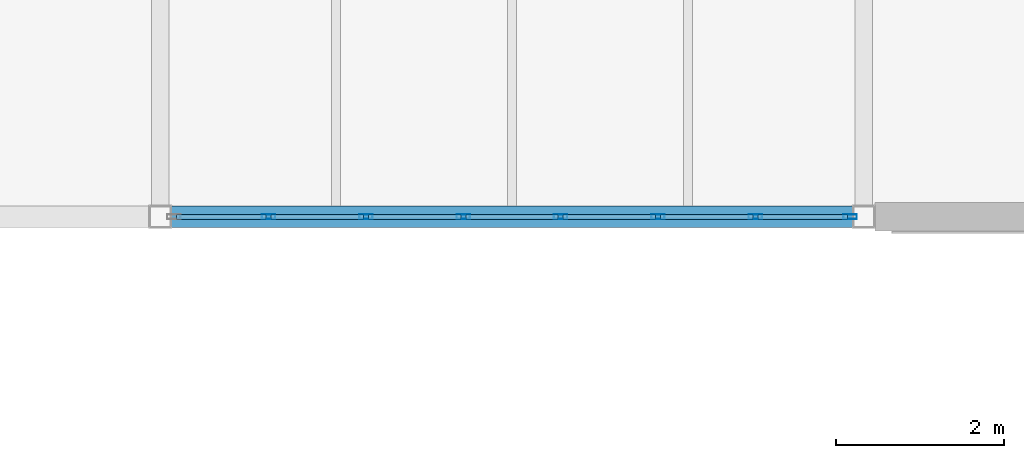
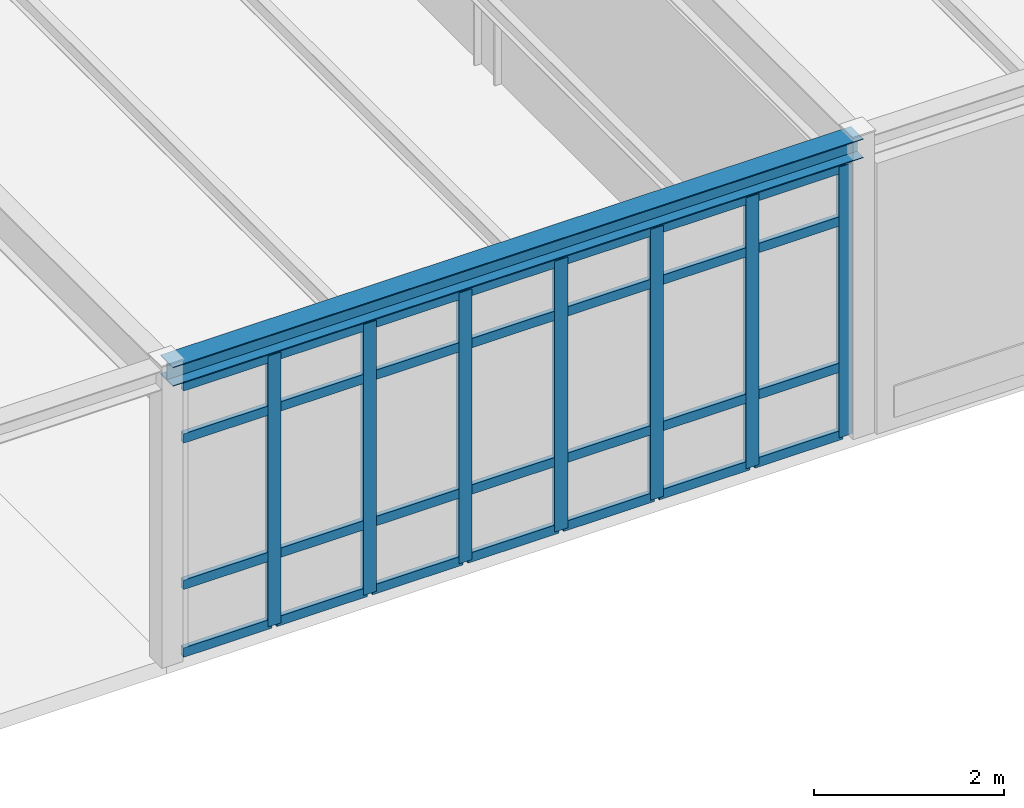
# One storey, part 94 of 189: 35 members, 1 beam, 1 element without a shape of its own.
"""IFC4 building model written with IfcOpenShell, lengths in metres."""

from ifc_helpers import new_model, si_unit, direction, frame, origin, origin_2d, place, context, subcontext, project, spatial, hollow_rectangle, i_section, extrude, material, layer, layer_set, material_profile, profile_set, type_object, element, aggregate, save


model = new_model("IFC4")

# Units and contexts
model_context = context("Model", 3, precision=1e-05, world=origin(), true_north=direction((0.0, 1.0)))
body_context = subcontext(model_context, "Body", "Model", "MODEL_VIEW")
ifc_project = project(units=[si_unit("LENGTHUNIT", "METRE"), si_unit("AREAUNIT", "SQUARE_METRE"), si_unit("VOLUMEUNIT", "CUBIC_METRE"), si_unit("PLANEANGLEUNIT", "RADIAN"), si_unit("MASSUNIT", "GRAM", prefix="KILO")], contexts=[model_context])

# Site, building, storey
site_placement = place(None, origin())
site = spatial("IfcSite", under=ifc_project, at=site_placement, CompositionType="ELEMENT")
building_placement = place(site_placement, origin())
building = spatial("IfcBuilding", under=site, at=building_placement, Name="Montecoro Central Library", CompositionType="ELEMENT")
storey_placement = place(building_placement, frame((0.0, 0.0, 9.179931640625)))
storey = spatial("IfcBuildingStorey", under=building, at=storey_placement, Name="L02", CompositionType="ELEMENT", Elevation=9.179931640625)

# Beam
ifc_material_1 = material(Name="Steel S355", Category="steel")
ifc_material_profile_1 = material_profile(ifc_material_1, i_section(OverallWidth=0.260009765625, OverallDepth=0.25, WebThickness=0.007568359375, FlangeThickness=0.012451171875, at=origin_2d()), Name="HEA 260")
ifc_profile_set_1 = profile_set([ifc_material_profile_1], Name="Steel S355")
beam_type = type_object("IfcBeamType", Name="BM-SP-HEA260", PredefinedType="SPANDREL", material=ifc_profile_set_1)
beam_placement = place(storey_placement, frame((100.0048828125, 81.0, 3.699951171875), z_axis=(1.0, 0.0, 0.0), x_axis=(0.0, 1.0, 0.0)))
element("IfcBeam", 1, at=beam_placement, inside=storey, type_object=beam_type, Name="V2-L02-BX-1314-L", PredefinedType="SPANDREL", context=body_context, shape_type="SweptSolid", body=[
    extrude(i_section(OverallWidth=0.260009765625, OverallDepth=0.25, WebThickness=0.007568359375, FlangeThickness=0.012451171875, at=origin_2d()), origin(), (0.0, 0.0, 1.0), 8.39013671875),
])

# Curtain wall, members
ifc_material_2 = material(Name="Bronze-anodised aluminium and low-E glazing", Category="aluminium")
ifc_layer = layer(ifc_material_2, 0.159912109375)
ifc_layer_set = layer_set([ifc_layer], Name="Bronze-anodised aluminium and low-E glazing")
curtain_wall_type = type_object("IfcCurtainWallType", Name="CWT-014", PredefinedType="NOTDEFINED", material=ifc_layer_set)
curtain_wall_placement = place(storey_placement, origin())
curtain_wall = element("IfcCurtainWall", 2, at=curtain_wall_placement, inside=storey, type_object=curtain_wall_type, Name="V2-L02-CW-S4", PredefinedType="NOTDEFINED")
ifc_material_3 = material(Name="Bronze-anodised aluminium", Category="aluminium")
ifc_material_profile_2 = material_profile(ifc_material_3, hollow_rectangle(XDim=0.06005859375, YDim=0.159912109375, WallThickness=0.00390625, at=origin_2d()), Name="CWM 160x60x4.0")
ifc_profile_set_2 = profile_set([ifc_material_profile_2], Name="Bronze-anodised aluminium")
member_type_1 = type_object("IfcMemberType", Name="CWM-BRZ-60", PredefinedType="MULLION", material=ifc_profile_set_2)
member_1_placement = place(storey_placement, frame((101.294921875, 81.0, 0.0), z_axis=(0.0, 0.0, 1.0), x_axis=(0.0, 1.0, 0.0)))
member_1 = element("IfcMember", 3, at=member_1_placement, type_object=member_type_1, Name="CW-014 mullion 2", PredefinedType="MULLION", context=body_context, shape_type="SweptSolid", body=[
    extrude(hollow_rectangle(XDim=0.06005859375, YDim=0.159912109375, WallThickness=0.00390625, at=origin_2d()), origin(), (0.0, 0.0, 1.0), 3.47998046875),
])
member_2_placement = place(storey_placement, frame((102.45703125, 81.0, 0.0), z_axis=(0.0, 0.0, 1.0), x_axis=(0.0, 1.0, 0.0)))
member_2 = element("IfcMember", 4, at=member_2_placement, type_object=member_type_1, Name="CW-014 mullion 3", PredefinedType="MULLION", context=body_context, shape_type="SweptSolid", body=[
    extrude(hollow_rectangle(XDim=0.06005859375, YDim=0.159912109375, WallThickness=0.00390625, at=origin_2d()), origin(), (0.0, 0.0, 1.0), 3.47998046875),
])
member_3_placement = place(storey_placement, frame((103.618896484375, 81.0, 0.0), z_axis=(0.0, 0.0, 1.0), x_axis=(0.0, 1.0, 0.0)))
member_3 = element("IfcMember", 5, at=member_3_placement, type_object=member_type_1, Name="CW-014 mullion 4", PredefinedType="MULLION", context=body_context, shape_type="SweptSolid", body=[
    extrude(hollow_rectangle(XDim=0.06005859375, YDim=0.159912109375, WallThickness=0.00390625, at=origin_2d()), origin(), (0.0, 0.0, 1.0), 3.47998046875),
])
member_4_placement = place(storey_placement, frame((104.781005859375, 81.0, 0.0), z_axis=(0.0, 0.0, 1.0), x_axis=(0.0, 1.0, 0.0)))
member_4 = element("IfcMember", 6, at=member_4_placement, type_object=member_type_1, Name="CW-014 mullion 5", PredefinedType="MULLION", context=body_context, shape_type="SweptSolid", body=[
    extrude(hollow_rectangle(XDim=0.06005859375, YDim=0.159912109375, WallThickness=0.00390625, at=origin_2d()), origin(), (0.0, 0.0, 1.0), 3.47998046875),
])
member_5_placement = place(storey_placement, frame((105.943115234375, 81.0, 0.0), z_axis=(0.0, 0.0, 1.0), x_axis=(0.0, 1.0, 0.0)))
member_5 = element("IfcMember", 7, at=member_5_placement, type_object=member_type_1, Name="CW-014 mullion 6", PredefinedType="MULLION", context=body_context, shape_type="SweptSolid", body=[
    extrude(hollow_rectangle(XDim=0.06005859375, YDim=0.159912109375, WallThickness=0.00390625, at=origin_2d()), origin(), (0.0, 0.0, 1.0), 3.47998046875),
])
member_6_placement = place(storey_placement, frame((107.10498046875, 81.0, 0.0), z_axis=(0.0, 0.0, 1.0), x_axis=(0.0, 1.0, 0.0)))
member_6 = element("IfcMember", 8, at=member_6_placement, type_object=member_type_1, Name="CW-014 mullion 7", PredefinedType="MULLION", context=body_context, shape_type="SweptSolid", body=[
    extrude(hollow_rectangle(XDim=0.06005859375, YDim=0.159912109375, WallThickness=0.00390625, at=origin_2d()), origin(), (0.0, 0.0, 1.0), 3.47998046875),
])
member_7_placement = place(storey_placement, frame((108.237060546875, 81.0, 0.0), z_axis=(0.0, 0.0, 1.0), x_axis=(0.0, 1.0, 0.0)))
member_7 = element("IfcMember", 9, at=member_7_placement, type_object=member_type_1, Name="CW-014 mullion 8", PredefinedType="MULLION", context=body_context, shape_type="SweptSolid", body=[
    extrude(hollow_rectangle(XDim=0.06005859375, YDim=0.159912109375, WallThickness=0.00390625, at=origin_2d()), origin(), (0.0, 0.0, 1.0), 3.47998046875),
])
ifc_material_profile_3 = material_profile(ifc_material_3, hollow_rectangle(XDim=0.06005859375, YDim=0.1201171875, WallThickness=0.00390625, at=origin_2d()), Name="CWT 120x60x4.0")
ifc_profile_set_3 = profile_set([ifc_material_profile_3], Name="Bronze-anodised aluminium")
member_type_2 = type_object("IfcMemberType", Name="CWT-BRZ-60", PredefinedType="USERDEFINED", material=ifc_profile_set_3)
member_8_placement = place(storey_placement, frame((100.193115234375, 81.0, 0.030029296875), z_axis=(1.0, 0.0, 0.0), x_axis=(0.0, 1.0, 0.0)))
member_8 = element("IfcMember", 10, at=member_8_placement, type_object=member_type_2, Name="CW-014 transom 1.1", ObjectType="TRANSOM", PredefinedType="USERDEFINED", context=body_context, shape_type="SweptSolid", body=[
    extrude(hollow_rectangle(XDim=0.06005859375, YDim=0.1201171875, WallThickness=0.00390625, at=origin_2d()), origin(), (0.0, 0.0, 1.0), 1.07177734375),
])
member_9_placement = place(storey_placement, frame((100.193115234375, 81.0, 0.900146484375), z_axis=(1.0, 0.0, 0.0), x_axis=(0.0, 1.0, 0.0)))
member_9 = element("IfcMember", 11, at=member_9_placement, type_object=member_type_2, Name="CW-014 transom 1.2", ObjectType="TRANSOM", PredefinedType="USERDEFINED", context=body_context, shape_type="SweptSolid", body=[
    extrude(hollow_rectangle(XDim=0.06005859375, YDim=0.1201171875, WallThickness=0.00390625, at=origin_2d()), origin(), (0.0, 0.0, 1.0), 1.07177734375),
])
member_10_placement = place(storey_placement, frame((100.193115234375, 81.0, 2.780029296875), z_axis=(1.0, 0.0, 0.0), x_axis=(0.0, 1.0, 0.0)))
member_10 = element("IfcMember", 12, at=member_10_placement, type_object=member_type_2, Name="CW-014 transom 1.3", ObjectType="TRANSOM", PredefinedType="USERDEFINED", context=body_context, shape_type="SweptSolid", body=[
    extrude(hollow_rectangle(XDim=0.06005859375, YDim=0.1201171875, WallThickness=0.00390625, at=origin_2d()), origin(), (0.0, 0.0, 1.0), 1.07177734375),
])
member_11_placement = place(storey_placement, frame((100.193115234375, 81.0, 3.449951171875), z_axis=(1.0, 0.0, 0.0), x_axis=(0.0, 1.0, 0.0)))
member_11 = element("IfcMember", 13, at=member_11_placement, type_object=member_type_2, Name="CW-014 transom 1.4", ObjectType="TRANSOM", PredefinedType="USERDEFINED", context=body_context, shape_type="SweptSolid", body=[
    extrude(hollow_rectangle(XDim=0.06005859375, YDim=0.1201171875, WallThickness=0.00390625, at=origin_2d()), origin(), (0.0, 0.0, 1.0), 1.07177734375),
])
member_12_placement = place(storey_placement, frame((101.324951171875, 81.0, 0.030029296875), z_axis=(1.0, 0.0, 0.0), x_axis=(0.0, 1.0, 0.0)))
member_12 = element("IfcMember", 14, at=member_12_placement, type_object=member_type_2, Name="CW-014 transom 2.1", ObjectType="TRANSOM", PredefinedType="USERDEFINED", context=body_context, shape_type="SweptSolid", body=[
    extrude(hollow_rectangle(XDim=0.06005859375, YDim=0.1201171875, WallThickness=0.00390625, at=origin_2d()), origin(), (0.0, 0.0, 1.0), 1.10205078125),
])
member_13_placement = place(storey_placement, frame((101.324951171875, 81.0, 0.900146484375), z_axis=(1.0, 0.0, 0.0), x_axis=(0.0, 1.0, 0.0)))
member_13 = element("IfcMember", 15, at=member_13_placement, type_object=member_type_2, Name="CW-014 transom 2.2", ObjectType="TRANSOM", PredefinedType="USERDEFINED", context=body_context, shape_type="SweptSolid", body=[
    extrude(hollow_rectangle(XDim=0.06005859375, YDim=0.1201171875, WallThickness=0.00390625, at=origin_2d()), origin(), (0.0, 0.0, 1.0), 1.10205078125),
])
member_14_placement = place(storey_placement, frame((101.324951171875, 81.0, 2.780029296875), z_axis=(1.0, 0.0, 0.0), x_axis=(0.0, 1.0, 0.0)))
member_14 = element("IfcMember", 16, at=member_14_placement, type_object=member_type_2, Name="CW-014 transom 2.3", ObjectType="TRANSOM", PredefinedType="USERDEFINED", context=body_context, shape_type="SweptSolid", body=[
    extrude(hollow_rectangle(XDim=0.06005859375, YDim=0.1201171875, WallThickness=0.00390625, at=origin_2d()), origin(), (0.0, 0.0, 1.0), 1.10205078125),
])
member_15_placement = place(storey_placement, frame((101.324951171875, 81.0, 3.449951171875), z_axis=(1.0, 0.0, 0.0), x_axis=(0.0, 1.0, 0.0)))
member_15 = element("IfcMember", 17, at=member_15_placement, type_object=member_type_2, Name="CW-014 transom 2.4", ObjectType="TRANSOM", PredefinedType="USERDEFINED", context=body_context, shape_type="SweptSolid", body=[
    extrude(hollow_rectangle(XDim=0.06005859375, YDim=0.1201171875, WallThickness=0.00390625, at=origin_2d()), origin(), (0.0, 0.0, 1.0), 1.10205078125),
])
member_16_placement = place(storey_placement, frame((102.487060546875, 81.0, 0.030029296875), z_axis=(1.0, 0.0, 0.0), x_axis=(0.0, 1.0, 0.0)))
member_16 = element("IfcMember", 18, at=member_16_placement, type_object=member_type_2, Name="CW-014 transom 3.1", ObjectType="TRANSOM", PredefinedType="USERDEFINED", context=body_context, shape_type="SweptSolid", body=[
    extrude(hollow_rectangle(XDim=0.06005859375, YDim=0.1201171875, WallThickness=0.00390625, at=origin_2d()), origin(), (0.0, 0.0, 1.0), 1.10205078125),
])
member_17_placement = place(storey_placement, frame((102.487060546875, 81.0, 0.900146484375), z_axis=(1.0, 0.0, 0.0), x_axis=(0.0, 1.0, 0.0)))
member_17 = element("IfcMember", 19, at=member_17_placement, type_object=member_type_2, Name="CW-014 transom 3.2", ObjectType="TRANSOM", PredefinedType="USERDEFINED", context=body_context, shape_type="SweptSolid", body=[
    extrude(hollow_rectangle(XDim=0.06005859375, YDim=0.1201171875, WallThickness=0.00390625, at=origin_2d()), origin(), (0.0, 0.0, 1.0), 1.10205078125),
])
member_18_placement = place(storey_placement, frame((102.487060546875, 81.0, 2.780029296875), z_axis=(1.0, 0.0, 0.0), x_axis=(0.0, 1.0, 0.0)))
member_18 = element("IfcMember", 20, at=member_18_placement, type_object=member_type_2, Name="CW-014 transom 3.3", ObjectType="TRANSOM", PredefinedType="USERDEFINED", context=body_context, shape_type="SweptSolid", body=[
    extrude(hollow_rectangle(XDim=0.06005859375, YDim=0.1201171875, WallThickness=0.00390625, at=origin_2d()), origin(), (0.0, 0.0, 1.0), 1.10205078125),
])
member_19_placement = place(storey_placement, frame((102.487060546875, 81.0, 3.449951171875), z_axis=(1.0, 0.0, 0.0), x_axis=(0.0, 1.0, 0.0)))
member_19 = element("IfcMember", 21, at=member_19_placement, type_object=member_type_2, Name="CW-014 transom 3.4", ObjectType="TRANSOM", PredefinedType="USERDEFINED", context=body_context, shape_type="SweptSolid", body=[
    extrude(hollow_rectangle(XDim=0.06005859375, YDim=0.1201171875, WallThickness=0.00390625, at=origin_2d()), origin(), (0.0, 0.0, 1.0), 1.10205078125),
])
member_20_placement = place(storey_placement, frame((103.64892578125, 81.0, 0.030029296875), z_axis=(1.0, 0.0, 0.0), x_axis=(0.0, 1.0, 0.0)))
member_20 = element("IfcMember", 22, at=member_20_placement, type_object=member_type_2, Name="CW-014 transom 4.1", ObjectType="TRANSOM", PredefinedType="USERDEFINED", context=body_context, shape_type="SweptSolid", body=[
    extrude(hollow_rectangle(XDim=0.06005859375, YDim=0.1201171875, WallThickness=0.00390625, at=origin_2d()), origin(), (0.0, 0.0, 1.0), 1.10205078125),
])
member_21_placement = place(storey_placement, frame((103.64892578125, 81.0, 0.900146484375), z_axis=(1.0, 0.0, 0.0), x_axis=(0.0, 1.0, 0.0)))
member_21 = element("IfcMember", 23, at=member_21_placement, type_object=member_type_2, Name="CW-014 transom 4.2", ObjectType="TRANSOM", PredefinedType="USERDEFINED", context=body_context, shape_type="SweptSolid", body=[
    extrude(hollow_rectangle(XDim=0.06005859375, YDim=0.1201171875, WallThickness=0.00390625, at=origin_2d()), origin(), (0.0, 0.0, 1.0), 1.10205078125),
])
member_22_placement = place(storey_placement, frame((103.64892578125, 81.0, 2.780029296875), z_axis=(1.0, 0.0, 0.0), x_axis=(0.0, 1.0, 0.0)))
member_22 = element("IfcMember", 24, at=member_22_placement, type_object=member_type_2, Name="CW-014 transom 4.3", ObjectType="TRANSOM", PredefinedType="USERDEFINED", context=body_context, shape_type="SweptSolid", body=[
    extrude(hollow_rectangle(XDim=0.06005859375, YDim=0.1201171875, WallThickness=0.00390625, at=origin_2d()), origin(), (0.0, 0.0, 1.0), 1.10205078125),
])
member_23_placement = place(storey_placement, frame((103.64892578125, 81.0, 3.449951171875), z_axis=(1.0, 0.0, 0.0), x_axis=(0.0, 1.0, 0.0)))
member_23 = element("IfcMember", 25, at=member_23_placement, type_object=member_type_2, Name="CW-014 transom 4.4", ObjectType="TRANSOM", PredefinedType="USERDEFINED", context=body_context, shape_type="SweptSolid", body=[
    extrude(hollow_rectangle(XDim=0.06005859375, YDim=0.1201171875, WallThickness=0.00390625, at=origin_2d()), origin(), (0.0, 0.0, 1.0), 1.10205078125),
])
member_24_placement = place(storey_placement, frame((104.81103515625, 81.0, 0.030029296875), z_axis=(1.0, 0.0, 0.0), x_axis=(0.0, 1.0, 0.0)))
member_24 = element("IfcMember", 26, at=member_24_placement, type_object=member_type_2, Name="CW-014 transom 5.1", ObjectType="TRANSOM", PredefinedType="USERDEFINED", context=body_context, shape_type="SweptSolid", body=[
    extrude(hollow_rectangle(XDim=0.06005859375, YDim=0.1201171875, WallThickness=0.00390625, at=origin_2d()), origin(), (0.0, 0.0, 1.0), 1.10205078125),
])
member_25_placement = place(storey_placement, frame((104.81103515625, 81.0, 0.900146484375), z_axis=(1.0, 0.0, 0.0), x_axis=(0.0, 1.0, 0.0)))
member_25 = element("IfcMember", 27, at=member_25_placement, type_object=member_type_2, Name="CW-014 transom 5.2", ObjectType="TRANSOM", PredefinedType="USERDEFINED", context=body_context, shape_type="SweptSolid", body=[
    extrude(hollow_rectangle(XDim=0.06005859375, YDim=0.1201171875, WallThickness=0.00390625, at=origin_2d()), origin(), (0.0, 0.0, 1.0), 1.10205078125),
])
member_26_placement = place(storey_placement, frame((104.81103515625, 81.0, 2.780029296875), z_axis=(1.0, 0.0, 0.0), x_axis=(0.0, 1.0, 0.0)))
member_26 = element("IfcMember", 28, at=member_26_placement, type_object=member_type_2, Name="CW-014 transom 5.3", ObjectType="TRANSOM", PredefinedType="USERDEFINED", context=body_context, shape_type="SweptSolid", body=[
    extrude(hollow_rectangle(XDim=0.06005859375, YDim=0.1201171875, WallThickness=0.00390625, at=origin_2d()), origin(), (0.0, 0.0, 1.0), 1.10205078125),
])
member_27_placement = place(storey_placement, frame((104.81103515625, 81.0, 3.449951171875), z_axis=(1.0, 0.0, 0.0), x_axis=(0.0, 1.0, 0.0)))
member_27 = element("IfcMember", 29, at=member_27_placement, type_object=member_type_2, Name="CW-014 transom 5.4", ObjectType="TRANSOM", PredefinedType="USERDEFINED", context=body_context, shape_type="SweptSolid", body=[
    extrude(hollow_rectangle(XDim=0.06005859375, YDim=0.1201171875, WallThickness=0.00390625, at=origin_2d()), origin(), (0.0, 0.0, 1.0), 1.10205078125),
])
member_28_placement = place(storey_placement, frame((105.972900390625, 81.0, 0.030029296875), z_axis=(1.0, 0.0, 0.0), x_axis=(0.0, 1.0, 0.0)))
member_28 = element("IfcMember", 30, at=member_28_placement, type_object=member_type_2, Name="CW-014 transom 6.1", ObjectType="TRANSOM", PredefinedType="USERDEFINED", context=body_context, shape_type="SweptSolid", body=[
    extrude(hollow_rectangle(XDim=0.06005859375, YDim=0.1201171875, WallThickness=0.00390625, at=origin_2d()), origin(), (0.0, 0.0, 1.0), 1.10205078125),
])
member_29_placement = place(storey_placement, frame((105.972900390625, 81.0, 0.900146484375), z_axis=(1.0, 0.0, 0.0), x_axis=(0.0, 1.0, 0.0)))
member_29 = element("IfcMember", 31, at=member_29_placement, type_object=member_type_2, Name="CW-014 transom 6.2", ObjectType="TRANSOM", PredefinedType="USERDEFINED", context=body_context, shape_type="SweptSolid", body=[
    extrude(hollow_rectangle(XDim=0.06005859375, YDim=0.1201171875, WallThickness=0.00390625, at=origin_2d()), origin(), (0.0, 0.0, 1.0), 1.10205078125),
])
member_30_placement = place(storey_placement, frame((105.972900390625, 81.0, 2.780029296875), z_axis=(1.0, 0.0, 0.0), x_axis=(0.0, 1.0, 0.0)))
member_30 = element("IfcMember", 32, at=member_30_placement, type_object=member_type_2, Name="CW-014 transom 6.3", ObjectType="TRANSOM", PredefinedType="USERDEFINED", context=body_context, shape_type="SweptSolid", body=[
    extrude(hollow_rectangle(XDim=0.06005859375, YDim=0.1201171875, WallThickness=0.00390625, at=origin_2d()), origin(), (0.0, 0.0, 1.0), 1.10205078125),
])
member_31_placement = place(storey_placement, frame((105.972900390625, 81.0, 3.449951171875), z_axis=(1.0, 0.0, 0.0), x_axis=(0.0, 1.0, 0.0)))
member_31 = element("IfcMember", 33, at=member_31_placement, type_object=member_type_2, Name="CW-014 transom 6.4", ObjectType="TRANSOM", PredefinedType="USERDEFINED", context=body_context, shape_type="SweptSolid", body=[
    extrude(hollow_rectangle(XDim=0.06005859375, YDim=0.1201171875, WallThickness=0.00390625, at=origin_2d()), origin(), (0.0, 0.0, 1.0), 1.10205078125),
])
member_32_placement = place(storey_placement, frame((107.135009765625, 81.0, 0.030029296875), z_axis=(1.0, 0.0, 0.0), x_axis=(0.0, 1.0, 0.0)))
member_32 = element("IfcMember", 34, at=member_32_placement, type_object=member_type_2, Name="CW-014 transom 7.1", ObjectType="TRANSOM", PredefinedType="USERDEFINED", context=body_context, shape_type="SweptSolid", body=[
    extrude(hollow_rectangle(XDim=0.06005859375, YDim=0.1201171875, WallThickness=0.00390625, at=origin_2d()), origin(), (0.0, 0.0, 1.0), 1.072021484375),
])
member_33_placement = place(storey_placement, frame((107.135009765625, 81.0, 0.900146484375), z_axis=(1.0, 0.0, 0.0), x_axis=(0.0, 1.0, 0.0)))
member_33 = element("IfcMember", 35, at=member_33_placement, type_object=member_type_2, Name="CW-014 transom 7.2", ObjectType="TRANSOM", PredefinedType="USERDEFINED", context=body_context, shape_type="SweptSolid", body=[
    extrude(hollow_rectangle(XDim=0.06005859375, YDim=0.1201171875, WallThickness=0.00390625, at=origin_2d()), origin(), (0.0, 0.0, 1.0), 1.072021484375),
])
member_34_placement = place(storey_placement, frame((107.135009765625, 81.0, 2.780029296875), z_axis=(1.0, 0.0, 0.0), x_axis=(0.0, 1.0, 0.0)))
member_34 = element("IfcMember", 36, at=member_34_placement, type_object=member_type_2, Name="CW-014 transom 7.3", ObjectType="TRANSOM", PredefinedType="USERDEFINED", context=body_context, shape_type="SweptSolid", body=[
    extrude(hollow_rectangle(XDim=0.06005859375, YDim=0.1201171875, WallThickness=0.00390625, at=origin_2d()), origin(), (0.0, 0.0, 1.0), 1.072021484375),
])
member_35_placement = place(storey_placement, frame((107.135009765625, 81.0, 3.449951171875), z_axis=(1.0, 0.0, 0.0), x_axis=(0.0, 1.0, 0.0)))
member_35 = element("IfcMember", 37, at=member_35_placement, type_object=member_type_2, Name="CW-014 transom 7.4", ObjectType="TRANSOM", PredefinedType="USERDEFINED", context=body_context, shape_type="SweptSolid", body=[
    extrude(hollow_rectangle(XDim=0.06005859375, YDim=0.1201171875, WallThickness=0.00390625, at=origin_2d()), origin(), (0.0, 0.0, 1.0), 1.072021484375),
])
aggregate(curtain_wall, [member_1, member_2, member_3, member_4, member_5, member_6, member_7, member_8, member_9, member_10, member_11, member_12, member_13, member_14, member_15, member_16, member_17, member_18, member_19, member_20, member_21, member_22, member_23, member_24, member_25, member_26, member_27, member_28, member_29, member_30, member_31, member_32, member_33, member_34, member_35])

save(model, "model.ifc")
